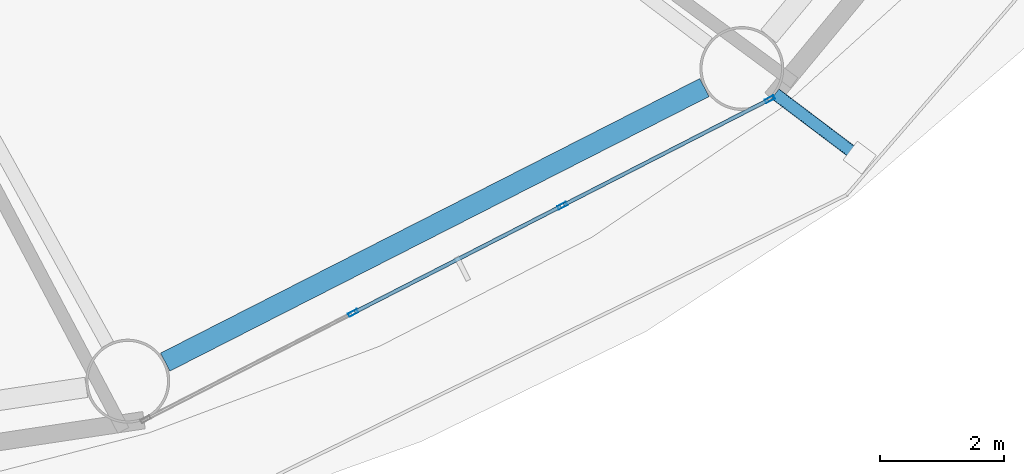
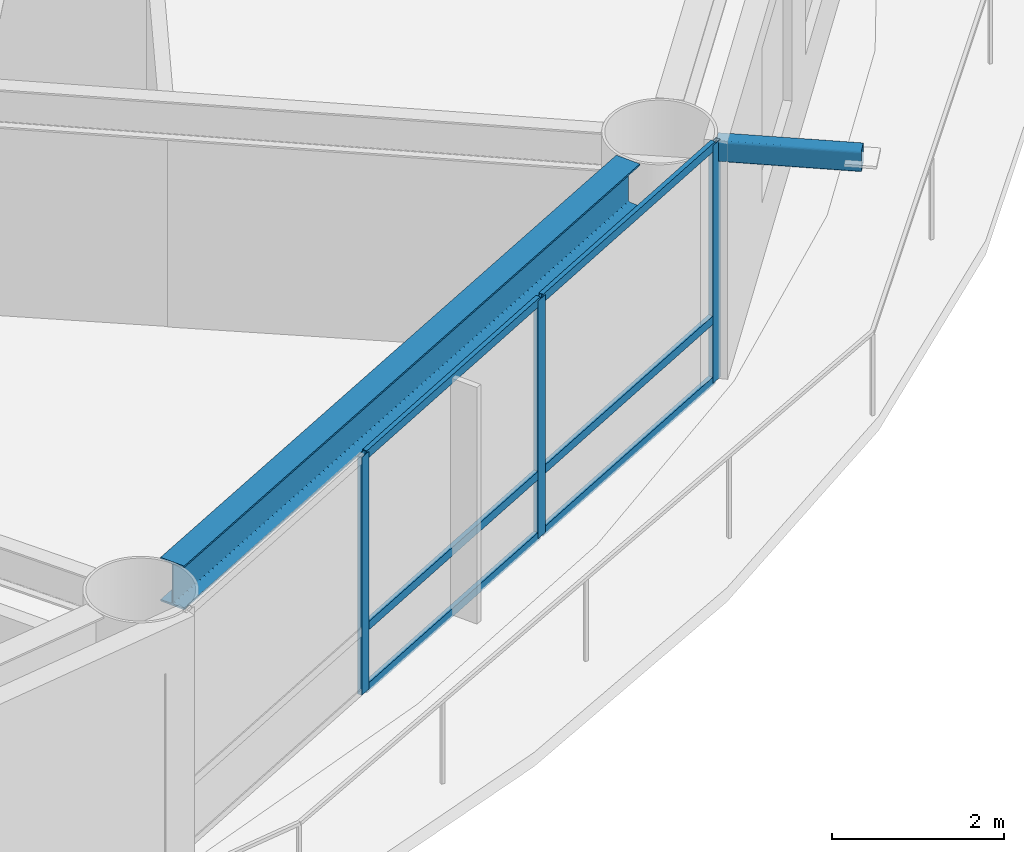
# One storey, part 8 of 26: 10 members, 1 beam, 1 element without a shape of its own.
"""IFC4 building model written with IfcOpenShell, lengths in metres."""

from ifc_helpers import new_model, si_unit, direction, frame, origin, origin_2d, place, context, subcontext, project, spatial, hollow_rectangle, i_section, extrude, material, layer, layer_set, material_profile, profile_set, type_object, element, aggregate, save


model = new_model("IFC4")

# Units and contexts
model_context = context("Model", 3, precision=1e-05, world=origin(), true_north=direction((0.0, 1.0)))
body_context = subcontext(model_context, "Body", "Model", "MODEL_VIEW")
ifc_project = project(units=[si_unit("LENGTHUNIT", "METRE"), si_unit("AREAUNIT", "SQUARE_METRE"), si_unit("VOLUMEUNIT", "CUBIC_METRE"), si_unit("PLANEANGLEUNIT", "RADIAN"), si_unit("MASSUNIT", "GRAM", prefix="KILO")], contexts=[model_context])

# Site, building, storey
site_placement = place(None, origin())
site = spatial("IfcSite", under=ifc_project, at=site_placement, CompositionType="ELEMENT")
building_placement = place(site_placement, origin())
building = spatial("IfcBuilding", under=site, at=building_placement, Name="Sarneth Arch Tower", CompositionType="ELEMENT")
storey_placement = place(building_placement, frame((0.0, 0.0, 42.60009765625)))
storey = spatial("IfcBuildingStorey", under=building, at=storey_placement, Name="L09", CompositionType="ELEMENT", Elevation=42.60009765625)

# Beam
ifc_material_1 = material(Name="Steel S355", Category="steel")
ifc_material_profile_1 = material_profile(ifc_material_1, i_section(OverallWidth=0.326904296875, OverallDepth=0.6220703125, WebThickness=0.015380859375, FlangeThickness=0.0244140625, FilletRadius=0.01904296875, at=origin_2d()), Name="W610x195")
ifc_profile_set_1 = profile_set([ifc_material_profile_1], Name="Steel S355")
beam_type = type_object("IfcBeamType", Name="BM-SPAN-610A", PredefinedType="SPANDREL", material=ifc_profile_set_1)
beam_placement = place(storey_placement, frame((60.41943359375, 20.872314453125, 3.06884765625), z_axis=(0.8911738076, 0.453662037919, 0.0), x_axis=(-0.453662037919, 0.8911738076, 0.0)))
element("IfcBeam", 1, at=beam_placement, inside=storey, type_object=beam_type, Name="L09 Perimeter spandrel beam 14", PredefinedType="SPANDREL", context=body_context, shape_type="SweptSolid", body=[
    extrude(i_section(OverallWidth=0.326904296875, OverallDepth=0.6220703125, WebThickness=0.015380859375, FlangeThickness=0.0244140625, FilletRadius=0.01904296875, at=origin_2d()), origin(), (0.0, 0.0, 1.0), 9.735107421875),
])

# Curtain wall, members
ifc_material_2 = material(Name="Anodised aluminium Type AA25 and solar-control low-e laminated IGU", Category="aluminium")
ifc_layer = layer(ifc_material_2, 0.159912109375)
ifc_layer_set = layer_set([ifc_layer], Name="Anodised aluminium Type AA25 and solar-control low-e laminated IGU")
curtain_wall_type = type_object("IfcCurtainWallType", Name="CW-HOTEL-LOW", PredefinedType="NOTDEFINED", material=ifc_layer_set)
curtain_wall_placement = place(storey_placement, origin())
curtain_wall = element("IfcCurtainWall", 2, at=curtain_wall_placement, inside=storey, type_object=curtain_wall_type, Name="L09 Unitised curtain wall facet 14", PredefinedType="NOTDEFINED")
ifc_material_3 = material(Name="Anodised Aluminium 6063-T6", Category="aluminium")
ifc_material_profile_2 = material_profile(ifc_material_3, hollow_rectangle(XDim=0.06005859375, YDim=0.159912109375, WallThickness=0.00390625, at=origin_2d()), Name="AL-MULL-160x60x4")
ifc_profile_set_2 = profile_set([ifc_material_profile_2], Name="Anodised Aluminium 6063-T6")
member_type_1 = type_object("IfcMemberType", Name="CW-MULLION", PredefinedType="MULLION", material=ifc_profile_set_2)
member_1_placement = place(storey_placement, frame((63.443359375, 21.663330078125, 0.0), z_axis=(0.0, 0.0, 1.0), x_axis=(-0.456245197127, 0.889854100456, 0.0)))
member_1 = element("IfcMember", 3, at=member_1_placement, type_object=member_type_1, Name="CW-SYS-3 mullion 2", PredefinedType="MULLION", context=body_context, shape_type="SweptSolid", body=[
    extrude(hollow_rectangle(XDim=0.06005859375, YDim=0.159912109375, WallThickness=0.00390625, at=origin_2d()), origin(), (0.0, 0.0, 1.0), 3.3798828125),
])
member_2_placement = place(storey_placement, frame((66.80859375, 23.388671875, 0.0), z_axis=(0.0, 0.0, 1.0), x_axis=(-0.456245197127, 0.889854100456, 0.0)))
member_2 = element("IfcMember", 4, at=member_2_placement, type_object=member_type_1, Name="CW-SYS-3 mullion 3", PredefinedType="MULLION", context=body_context, shape_type="SweptSolid", body=[
    extrude(hollow_rectangle(XDim=0.06005859375, YDim=0.159912109375, WallThickness=0.00390625, at=origin_2d()), origin(), (0.0, 0.0, 1.0), 3.3798828125),
])
member_3_placement = place(storey_placement, frame((70.1474609375, 25.1005859375, 0.0), z_axis=(0.0, 0.0, 1.0), x_axis=(-0.456245197127, 0.889854100456, 0.0)))
member_3 = element("IfcMember", 5, at=member_3_placement, type_object=member_type_1, Name="CW-SYS-3 mullion 4", PredefinedType="MULLION", context=body_context, shape_type="SweptSolid", body=[
    extrude(hollow_rectangle(XDim=0.06005859375, YDim=0.159912109375, WallThickness=0.00390625, at=origin_2d()), origin(), (0.0, 0.0, 1.0), 3.3798828125),
])
ifc_material_4 = material(Name="Anodised Aluminium 6063-T6", Category="aluminium")
ifc_material_profile_3 = material_profile(ifc_material_4, hollow_rectangle(XDim=0.06005859375, YDim=0.1201171875, WallThickness=0.00390625, at=origin_2d()), Name="AL-TRAN-120x60x4")
ifc_profile_set_3 = profile_set([ifc_material_profile_3], Name="Anodised Aluminium 6063-T6")
member_type_2 = type_object("IfcMemberType", Name="CW-TRANSOM", PredefinedType="USERDEFINED", material=ifc_profile_set_3)
member_4_placement = place(storey_placement, frame((63.469970703125, 21.677001953125, 0.02978515625), z_axis=(0.889868677022, 0.456216766083, 0.0), x_axis=(-0.456216766083, 0.889868677022, 0.0)))
member_4 = element("IfcMember", 6, at=member_4_placement, type_object=member_type_2, Name="CW-SYS-3 transom 2.1", ObjectType="TRANSOM", PredefinedType="USERDEFINED", context=body_context, shape_type="SweptSolid", body=[
    extrude(hollow_rectangle(XDim=0.06005859375, YDim=0.1201171875, WallThickness=0.00390625, at=origin_2d()), origin(), (0.0, 0.0, 1.0), 3.721923828125),
])
member_5_placement = place(storey_placement, frame((63.469970703125, 21.677001953125, 0.89990234375), z_axis=(0.889868677022, 0.456216766083, 0.0), x_axis=(-0.456216766083, 0.889868677022, 0.0)))
member_5 = element("IfcMember", 7, at=member_5_placement, type_object=member_type_2, Name="CW-SYS-3 transom 2.2", ObjectType="TRANSOM", PredefinedType="USERDEFINED", context=body_context, shape_type="SweptSolid", body=[
    extrude(hollow_rectangle(XDim=0.06005859375, YDim=0.1201171875, WallThickness=0.00390625, at=origin_2d()), origin(), (0.0, 0.0, 1.0), 3.721923828125),
])
member_6_placement = place(storey_placement, frame((63.469970703125, 21.677001953125, 3.349853515625), z_axis=(0.889868677022, 0.456216766083, 0.0), x_axis=(-0.456216766083, 0.889868677022, 0.0)))
member_6 = element("IfcMember", 8, at=member_6_placement, type_object=member_type_2, Name="CW-SYS-3 transom 2.3", ObjectType="TRANSOM", PredefinedType="USERDEFINED", context=body_context, shape_type="SweptSolid", body=[
    extrude(hollow_rectangle(XDim=0.06005859375, YDim=0.1201171875, WallThickness=0.00390625, at=origin_2d()), origin(), (0.0, 0.0, 1.0), 3.721923828125),
])
member_7_placement = place(storey_placement, frame((66.83544921875, 23.402587890625, 0.02978515625), z_axis=(0.889871845224, 0.456210586327, 0.0), x_axis=(-0.456210586327, 0.889871845224, 0.0)))
member_7 = element("IfcMember", 9, at=member_7_placement, type_object=member_type_2, Name="CW-SYS-3 transom 3.1", ObjectType="TRANSOM", PredefinedType="USERDEFINED", context=body_context, shape_type="SweptSolid", body=[
    extrude(hollow_rectangle(XDim=0.06005859375, YDim=0.1201171875, WallThickness=0.00390625, at=origin_2d()), origin(), (0.0, 0.0, 1.0), 3.69189453125),
])
member_8_placement = place(storey_placement, frame((66.83544921875, 23.402587890625, 0.89990234375), z_axis=(0.889871845224, 0.456210586327, 0.0), x_axis=(-0.456210586327, 0.889871845224, 0.0)))
member_8 = element("IfcMember", 10, at=member_8_placement, type_object=member_type_2, Name="CW-SYS-3 transom 3.2", ObjectType="TRANSOM", PredefinedType="USERDEFINED", context=body_context, shape_type="SweptSolid", body=[
    extrude(hollow_rectangle(XDim=0.06005859375, YDim=0.1201171875, WallThickness=0.00390625, at=origin_2d()), origin(), (0.0, 0.0, 1.0), 3.69189453125),
])
member_9_placement = place(storey_placement, frame((66.83544921875, 23.402587890625, 3.349853515625), z_axis=(0.889871845224, 0.456210586327, 0.0), x_axis=(-0.456210586327, 0.889871845224, 0.0)))
member_9 = element("IfcMember", 11, at=member_9_placement, type_object=member_type_2, Name="CW-SYS-3 transom 3.3", ObjectType="TRANSOM", PredefinedType="USERDEFINED", context=body_context, shape_type="SweptSolid", body=[
    extrude(hollow_rectangle(XDim=0.06005859375, YDim=0.1201171875, WallThickness=0.00390625, at=origin_2d()), origin(), (0.0, 0.0, 1.0), 3.69189453125),
])
aggregate(curtain_wall, [member_1, member_2, member_3, member_4, member_5, member_6, member_7, member_8, member_9])

# Member
ifc_material_5 = material(Name="Steel S355", Category="steel")
ifc_material_profile_4 = material_profile(ifc_material_5, hollow_rectangle(XDim=0.199951171875, YDim=0.300048828125, WallThickness=0.012451171875, InnerFilletRadius=0.018798828125, OuterFilletRadius=0.03125, at=origin_2d()), Name="RHS300x200x12.5")
ifc_profile_set_4 = profile_set([ifc_material_profile_4], Name="Steel S355")
member_type_3 = type_object("IfcMemberType", Name="MEM-CANT-STRUT", PredefinedType="STRUT", material=ifc_profile_set_4)
member_10_placement = place(storey_placement, frame((70.235107421875, 25.18798828125, 3.219970703125), z_axis=(0.797635768864, -0.603139436805, 0.0), x_axis=(0.603139436805, 0.797635768864, 0.0)))
element("IfcMember", 12, at=member_10_placement, inside=storey, type_object=member_type_3, Name="L09 Balcony cantilever bracket 15", PredefinedType="STRUT", context=body_context, shape_type="SweptSolid", body=[
    extrude(hollow_rectangle(XDim=0.199951171875, YDim=0.300048828125, WallThickness=0.012451171875, InnerFilletRadius=0.018798828125, OuterFilletRadius=0.03125, at=origin_2d()), origin(), (0.0, 0.0, 1.0), 1.7021484375),
])

save(model, "model.ifc")
